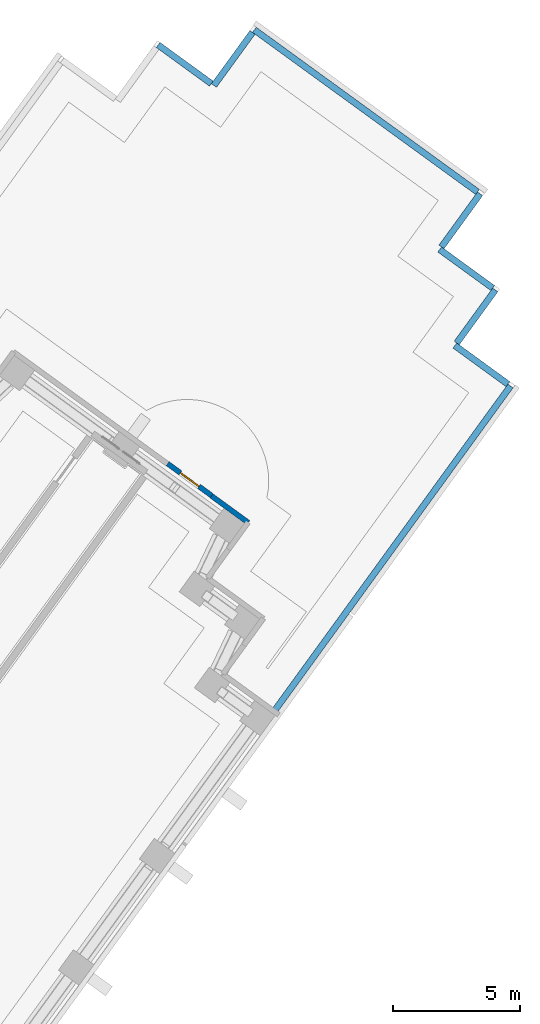
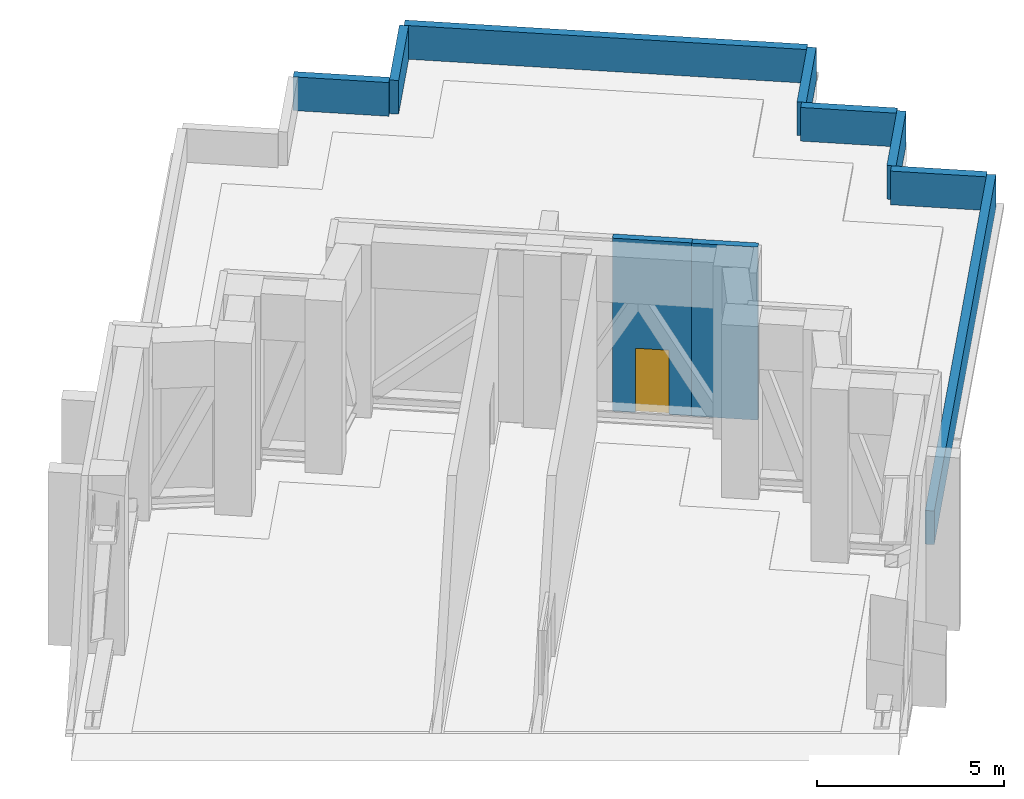
# One storey, part 14 of 18: 10 walls, 1 door, 1 opening.
"""IFC4 building model written with IfcOpenShell, lengths in metres."""

from ifc_helpers import new_model, si_unit, direction, frame, frame_2d, origin, place, context, subcontext, project, spatial, rectangle, extrude, material, type_object, element, fill, save


model = new_model("IFC4")

# Units and contexts
model_context = context("Model", 3, precision=1e-05, world=origin(), true_north=direction((0.0, 1.0)))
body_context = subcontext(model_context, "Body", "Model", "MODEL_VIEW")
ifc_project = project(units=[si_unit("LENGTHUNIT", "METRE"), si_unit("AREAUNIT", "SQUARE_METRE"), si_unit("VOLUMEUNIT", "CUBIC_METRE"), si_unit("PLANEANGLEUNIT", "RADIAN"), si_unit("MASSUNIT", "GRAM", prefix="KILO")], contexts=[model_context])

# Site, building, storey
site_placement = place(None, origin())
site = spatial("IfcSite", under=ifc_project, at=site_placement, CompositionType="ELEMENT")
building_placement = place(site_placement, origin())
building = spatial("IfcBuilding", under=site, at=building_placement, Name="Quipu Civic Tower", CompositionType="ELEMENT")
storey_placement = place(building_placement, frame((0.0, 0.0, 79.0)))
storey = spatial("IfcBuildingStorey", under=building, at=storey_placement, Name="L18", CompositionType="ELEMENT", Elevation=79.0)

# Walls
ifc_material_1 = material(Name="Precast concrete C40/50", Category="concrete")
wall_type_1 = type_object("IfcWallType", Name="Concrete parapet", PredefinedType="PARAPET", material=ifc_material_1)
wall_1_placement = place(storey_placement, frame((41.114990234375, 42.970458984375, 0.0), z_axis=(0.0, 0.0, 1.0), x_axis=(0.809043476975, -0.587748800394, 0.0)))
element("IfcWall", 1, at=wall_1_placement, inside=storey, type_object=wall_type_1, Name="Parapet L18.4", PredefinedType="PARAPET", context=body_context, shape_type="SweptSolid", body=[
    extrude(rectangle(XDim=2.574951171875, YDim=0.25, at=frame_2d((1.28759765625, 0.0))), origin(), (0.0, 0.0, 1.0), 1.10009765625),
])
wall_2_placement = place(storey_placement, frame((43.29931640625, 41.383544921875, 0.0), z_axis=(0.0, 0.0, 1.0), x_axis=(0.587810855502, 0.808998391935, 0.0)))
element("IfcWall", 2, at=wall_2_placement, inside=storey, type_object=wall_type_1, Name="Parapet L18.5", PredefinedType="PARAPET", context=body_context, shape_type="SweptSolid", body=[
    extrude(rectangle(XDim=2.5751953125, YDim=0.25, at=frame_2d((1.28759765625, 0.0))), origin(), (0.0, 0.0, 1.0), 1.10009765625),
])
wall_3_placement = place(storey_placement, frame((44.886474609375, 43.56787109375, 0.0), z_axis=(0.0, 0.0, 1.0), x_axis=(0.809014924719, -0.587788100918, 0.0)))
element("IfcWall", 3, at=wall_3_placement, inside=storey, type_object=wall_type_1, Name="Parapet L18.6", PredefinedType="PARAPET", context=body_context, shape_type="SweptSolid", body=[
    extrude(rectangle(XDim=10.824951171875, YDim=0.25, at=frame_2d((5.41259765625, 0.0))), origin(), (0.0, 0.0, 1.0), 1.10009765625),
])
wall_4_placement = place(storey_placement, frame((53.7451171875, 37.131591796875, 0.0), z_axis=(0.0, 0.0, 1.0), x_axis=(-0.587748800394, -0.809043476975, 0.0)))
element("IfcWall", 4, at=wall_4_placement, inside=storey, type_object=wall_type_1, Name="Parapet L18.7", PredefinedType="PARAPET", context=body_context, shape_type="SweptSolid", body=[
    extrude(rectangle(XDim=2.574951171875, YDim=0.25, at=frame_2d((1.28759765625, 0.0))), origin(), (0.0, 0.0, 1.0), 1.10009765625),
])
wall_5_placement = place(storey_placement, frame((52.158203125, 34.947265625, 0.0), z_axis=(0.0, 0.0, 1.0), x_axis=(0.808998391935, -0.587810855502, 0.0)))
element("IfcWall", 5, at=wall_5_placement, inside=storey, type_object=wall_type_1, Name="Parapet L18.8", PredefinedType="PARAPET", context=body_context, shape_type="SweptSolid", body=[
    extrude(rectangle(XDim=2.5751953125, YDim=0.25, at=frame_2d((1.28759765625, 0.0))), origin(), (0.0, 0.0, 1.0), 1.10009765625),
])
wall_6_placement = place(storey_placement, frame((54.342529296875, 33.360107421875, 0.0), z_axis=(0.0, 0.0, 1.0), x_axis=(-0.587855942954, -0.808965629884, 0.0)))
element("IfcWall", 6, at=wall_6_placement, inside=storey, type_object=wall_type_1, Name="Parapet L18.9", PredefinedType="PARAPET", context=body_context, shape_type="SweptSolid", body=[
    extrude(rectangle(XDim=2.574951171875, YDim=0.25, at=frame_2d((1.28759765625, 0.0))), origin(), (0.0, 0.0, 1.0), 1.10009765625),
])
wall_7_placement = place(storey_placement, frame((52.755615234375, 31.17578125, 0.0), z_axis=(0.0, 0.0, 1.0), x_axis=(0.809010720015, -0.587793888112, 0.0)))
element("IfcWall", 7, at=wall_7_placement, inside=storey, type_object=wall_type_1, Name="Parapet L18.10", PredefinedType="PARAPET", context=body_context, shape_type="SweptSolid", body=[
    extrude(rectangle(XDim=2.57470703125, YDim=0.25, at=frame_2d((1.287353515625, 0.0))), origin(), (0.0, 0.0, 1.0), 1.10009765625),
])
wall_8_placement = place(storey_placement, frame((54.939697265625, 29.5888671875, 0.0), z_axis=(0.0, 0.0, 1.0), x_axis=(-0.587785932343, -0.809016500289, 0.0)))
element("IfcWall", 8, at=wall_8_placement, inside=storey, type_object=wall_type_1, Name="Parapet L18.11", PredefinedType="PARAPET", context=body_context, shape_type="SweptSolid", body=[
    extrude(rectangle(XDim=15.769775390625, YDim=0.25, at=frame_2d((7.884765625, 0.0))), origin(), (0.0, 0.0, 1.0), 1.10009765625),
])
ifc_material_2 = material(Name="Precast concrete C40/50", Category="concrete")
wall_type_2 = type_object("IfcWallType", Name="Precast cladding wall", PredefinedType="SOLIDWALL", material=ifc_material_2)
wall_9_placement = place(storey_placement, frame((44.647705078125, 24.227294921875, 0.0), z_axis=(0.0, 0.0, 1.0), x_axis=(-0.808955331464, 0.587870114648, 0.0)))
element("IfcWall", 9, at=wall_9_placement, inside=storey, type_object=wall_type_2, Name="Precast cladding wall L18 32", PredefinedType="SOLIDWALL", context=body_context, shape_type="SweptSolid", body=[
    extrude(rectangle(XDim=1.78125, YDim=0.199951171875, at=frame_2d((0.890625, 0.0))), origin(), (0.0, 0.0, 1.0), 5.64990234375),
])

# Wall, opening, door
ifc_material_3 = material(Name="Precast concrete C40/50", Category="concrete")
wall_type_3 = type_object("IfcWallType", Name="Precast door surround", PredefinedType="SOLIDWALL", material=ifc_material_3)
wall_10_placement = place(storey_placement, frame((41.484619140625, 26.54052734375, 0.0), z_axis=(0.0, 0.0, 1.0), x_axis=(0.809022465264, -0.587777722186, 0.0)))
wall_10 = element("IfcWall", 10, at=wall_10_placement, inside=storey, type_object=wall_type_3, Name="Door surround RA-L18-1", PredefinedType="SOLIDWALL", context=body_context, shape_type="SweptSolid", body=[
    extrude(rectangle(XDim=2.137451171875, YDim=0.199951171875, at=frame_2d((1.06884765625, 0.0))), origin(), (0.0, 0.0, 1.0), 5.64990234375),
])
opening_placement = place(wall_10_placement, frame((0.61865234375, 0.0, 0.0)))
opening = element("IfcOpeningElement", 11, at=opening_placement, cuts=wall_10, Name="Opening RA-L18-1", PredefinedType="OPENING", context=body_context, shape_type="SweptSolid", body=[
    extrude(rectangle(XDim=0.89990234375, YDim=2.10009765625, at=frame_2d((0.449951171875, 1.050048828125))), frame((0.0, 0.10986328125, 0.0), z_axis=(0.0, -1.0, 0.0), x_axis=(1.0, 0.0, 0.0)), (0.0, 0.0, 1.0), 0.219970703125),
])
ifc_material_4 = material(Name="Steel framed door", Category="steel")
door_type = type_object("IfcDoorType", Name="Roof access door", OperationType="SINGLE_SWING_RIGHT", PredefinedType="DOOR", material=ifc_material_4)
door_placement = place(opening_placement, origin())
door = element("IfcDoor", 12, at=door_placement, inside=storey, type_object=door_type, Name="E5 door RA-L18-1", OperationType="SINGLE_SWING_RIGHT", OverallHeight=2.10009765625, OverallWidth=0.89990234375, PredefinedType="DOOR", context=body_context, shape_type="SweptSolid", body=[
    extrude(rectangle(XDim=0.89990234375, YDim=2.10009765625, at=frame_2d((0.449951171875, 1.050048828125))), frame((0.0, 0.02490234375, 0.0), z_axis=(0.0, -1.0, 0.0), x_axis=(1.0, 0.0, 0.0)), (0.0, 0.0, 1.0), 0.050048828125),
])
fill(opening, door)

save(model, "model.ifc")
